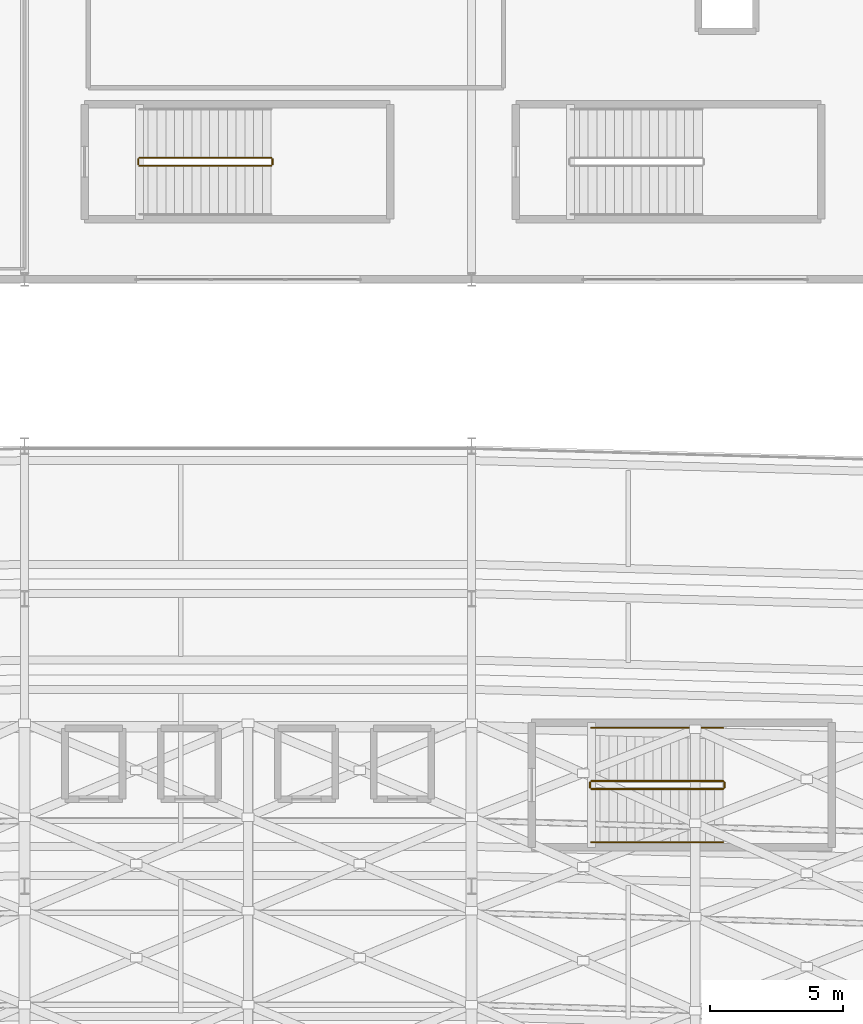
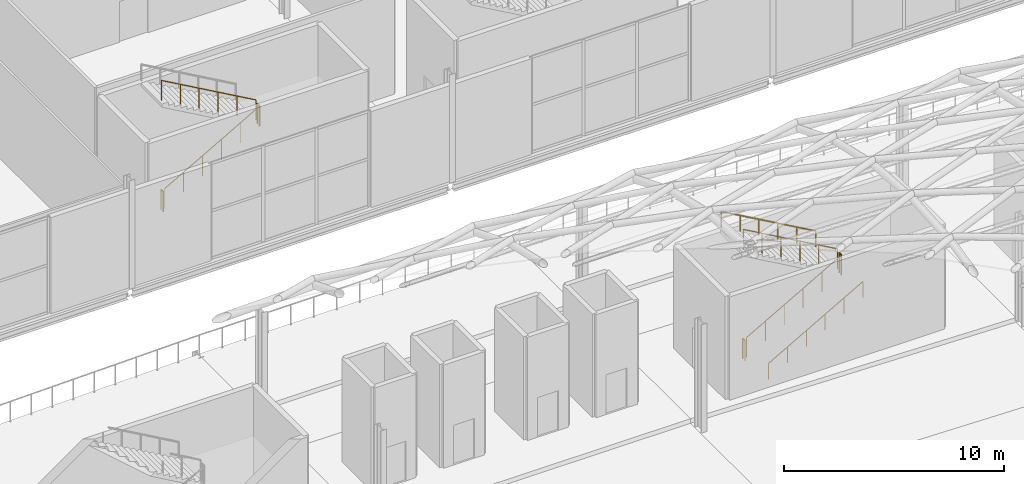
# One storey, part 96 of 100: 10 railings.
"""IFC4 building model written with IfcOpenShell, lengths in metres."""

from ifc_helpers import new_model, si_unit, direction, frame, origin, origin_2d, place, context, subcontext, project, spatial, circle, extrude, material, type_object, element, save


model = new_model("IFC4")

# Units and contexts
model_context = context("Model", 3, precision=1e-05, world=origin(), true_north=direction((0.0, 1.0)))
body_context = subcontext(model_context, "Body", "Model", "MODEL_VIEW")
ifc_project = project(units=[si_unit("LENGTHUNIT", "METRE"), si_unit("AREAUNIT", "SQUARE_METRE"), si_unit("VOLUMEUNIT", "CUBIC_METRE"), si_unit("PLANEANGLEUNIT", "RADIAN"), si_unit("MASSUNIT", "GRAM", prefix="KILO")], contexts=[model_context])

# Site, building, storey
site_placement = place(None, origin())
site = spatial("IfcSite", under=ifc_project, at=site_placement, CompositionType="ELEMENT")
building_placement = place(site_placement, origin())
building = spatial("IfcBuilding", under=site, at=building_placement, Name="Kimbaza Rail Terminus", CompositionType="ELEMENT")
storey_placement = place(building_placement, frame((0.0, 0.0, 10.800048828125)))
storey = spatial("IfcBuildingStorey", under=building, at=storey_placement, Name="L02", CompositionType="ELEMENT", Elevation=10.800048828125)

# Railings
ifc_material_1 = material(Name="Brushed stainless steel handrail", Category="steel")
railing_type_1 = type_object("IfcRailingType", Name="ARC-RL-HND92", PredefinedType="HANDRAIL", material=ifc_material_1)
railing_1_placement = place(storey_placement, frame((126.89990234375, 81.85009765625, 0.1875)))
element("IfcRailing", 1, at=railing_1_placement, inside=storey, type_object=railing_type_1, Name="L02 ST-C4 stair handrail 1", PredefinedType="HANDRAIL", context=body_context, shape_type="SweptSolid", body=[
    extrude(circle(Radius=0.02392578125, at=origin_2d()), frame((0.0, 0.0, 0.8759765625), z_axis=(0.869464929287, 0.0, 0.493994672785), x_axis=(0.0, 1.0, 0.0)), (0.0, 0.0, 1.0), 5.693359375),
    extrude(circle(Radius=0.02099609375, at=origin_2d()), origin(), (0.0, 0.0, 1.0), 0.851806640625),
    extrude(circle(Radius=0.02099609375, at=origin_2d()), frame((0.989990234375, 0.0, 0.5625)), (0.0, 0.0, 1.0), 0.851806640625),
    extrude(circle(Radius=0.02099609375, at=origin_2d()), frame((1.97998046875, 0.0, 1.125)), (0.0, 0.0, 1.0), 0.851806640625),
    extrude(circle(Radius=0.02099609375, at=origin_2d()), frame((2.97021484375, 0.0, 1.6875)), (0.0, 0.0, 1.0), 0.851806640625),
    extrude(circle(Radius=0.02099609375, at=origin_2d()), frame((3.960205078125, 0.0, 2.25)), (0.0, 0.0, 1.0), 0.851806640625),
    extrude(circle(Radius=0.02099609375, at=origin_2d()), frame((4.9501953125, 0.0, 2.8125)), (0.0, 0.0, 1.0), 0.851806640625),
])
railing_2_placement = place(storey_placement, frame((131.85009765625, 86.14990234375, 3.1875)))
element("IfcRailing", 2, at=railing_2_placement, inside=storey, type_object=railing_type_1, Name="L02 ST-C4 stair handrail 2", PredefinedType="HANDRAIL", context=body_context, shape_type="SweptSolid", body=[
    extrude(circle(Radius=0.02392578125, at=origin_2d()), frame((0.0, 0.0, 0.8759765625), z_axis=(-0.869464929287, 0.0, 0.493994672785), x_axis=(0.0, -1.0, 0.0)), (0.0, 0.0, 1.0), 5.693359375),
    extrude(circle(Radius=0.02099609375, at=origin_2d()), origin(), (0.0, 0.0, 1.0), 0.851806640625),
    extrude(circle(Radius=0.02099609375, at=origin_2d()), frame((-0.989990234375, 0.0, 0.5625)), (0.0, 0.0, 1.0), 0.851806640625),
    extrude(circle(Radius=0.02099609375, at=origin_2d()), frame((-1.97998046875, 0.0, 1.125)), (0.0, 0.0, 1.0), 0.851806640625),
    extrude(circle(Radius=0.02099609375, at=origin_2d()), frame((-2.97021484375, 0.0, 1.6875)), (0.0, 0.0, 1.0), 0.851806640625),
    extrude(circle(Radius=0.02099609375, at=origin_2d()), frame((-3.960205078125, 0.0, 2.25)), (0.0, 0.0, 1.0), 0.851806640625),
    extrude(circle(Radius=0.02099609375, at=origin_2d()), frame((-4.9501953125, 0.0, 2.8125)), (0.0, 0.0, 1.0), 0.851806640625),
])
ifc_material_2 = material(Name="Painted tubular steel stair well guard", Category="steel")
railing_type_2 = type_object("IfcRailingType", Name="ARC-RL-STGRD", PredefinedType="GUARDRAIL", material=ifc_material_2)
railing_3_placement = place(storey_placement, frame((109.919921875, 107.27001953125, 0.1875)))
element("IfcRailing", 3, at=railing_3_placement, inside=storey, type_object=railing_type_2, Name="L02 ST-M1 stair guard 1", PredefinedType="GUARDRAIL", context=body_context, shape_type="SweptSolid", body=[
    extrude(circle(Radius=0.02392578125, at=origin_2d()), frame((0.0, 0.0, 1.09619140625), z_axis=(0.869464929287, 0.0, 0.493994672785), x_axis=(0.0, 1.0, 0.0)), (0.0, 0.0, 1.0), 5.693359375),
    extrude(circle(Radius=0.02099609375, at=origin_2d()), origin(), (0.0, 0.0, 1.0), 1.072021484375),
    extrude(circle(Radius=0.02099609375, at=origin_2d()), frame((0.989990234375, 0.0, 0.5625)), (0.0, 0.0, 1.0), 1.072021484375),
    extrude(circle(Radius=0.02099609375, at=origin_2d()), frame((1.97998046875, 0.0, 1.125)), (0.0, 0.0, 1.0), 1.072021484375),
    extrude(circle(Radius=0.02099609375, at=origin_2d()), frame((2.97021484375, 0.0, 1.6875)), (0.0, 0.0, 1.0), 1.072021484375),
    extrude(circle(Radius=0.02099609375, at=origin_2d()), frame((3.960205078125, 0.0, 2.25)), (0.0, 0.0, 1.0), 1.072021484375),
    extrude(circle(Radius=0.02099609375, at=origin_2d()), frame((4.9501953125, 0.0, 2.8125)), (0.0, 0.0, 1.0), 1.072021484375),
])
railing_4_placement = place(storey_placement, frame((114.919921875, 107.320068359375, 3.0)))
element("IfcRailing", 4, at=railing_4_placement, inside=storey, type_object=railing_type_2, Name="L02 ST-M1 stair guard 2", PredefinedType="GUARDRAIL", context=body_context, shape_type="SweptSolid", body=[
    extrude(circle(Radius=0.02392578125, at=origin_2d()), frame((0.0, 0.0, 1.09619140625), z_axis=(0.0, 1.0, 0.0), x_axis=(-1.0, 0.0, 0.0)), (0.0, 0.0, 1.0), 0.199951171875),
    extrude(circle(Radius=0.02099609375, at=origin_2d()), origin(), (0.0, 0.0, 1.0), 1.072021484375),
    extrude(circle(Radius=0.02099609375, at=origin_2d()), frame((0.0, 0.199951171875, 0.0)), (0.0, 0.0, 1.0), 1.072021484375),
])
railing_5_placement = place(storey_placement, frame((114.8701171875, 107.570068359375, 3.1875)))
element("IfcRailing", 5, at=railing_5_placement, inside=storey, type_object=railing_type_2, Name="L02 ST-M1 stair guard 3", PredefinedType="GUARDRAIL", context=body_context, shape_type="SweptSolid", body=[
    extrude(circle(Radius=0.02392578125, at=origin_2d()), frame((0.0, 0.0, 1.09619140625), z_axis=(-0.869464929287, 0.0, 0.493994672785), x_axis=(0.0, -1.0, 0.0)), (0.0, 0.0, 1.0), 5.693359375),
    extrude(circle(Radius=0.02099609375, at=origin_2d()), origin(), (0.0, 0.0, 1.0), 1.072021484375),
    extrude(circle(Radius=0.02099609375, at=origin_2d()), frame((-0.989990234375, 0.0, 0.5625)), (0.0, 0.0, 1.0), 1.072021484375),
    extrude(circle(Radius=0.02099609375, at=origin_2d()), frame((-1.97998046875, 0.0, 1.125)), (0.0, 0.0, 1.0), 1.072021484375),
    extrude(circle(Radius=0.02099609375, at=origin_2d()), frame((-2.97021484375, 0.0, 1.6875)), (0.0, 0.0, 1.0), 1.072021484375),
    extrude(circle(Radius=0.02099609375, at=origin_2d()), frame((-3.960205078125, 0.0, 2.25)), (0.0, 0.0, 1.0), 1.072021484375),
    extrude(circle(Radius=0.02099609375, at=origin_2d()), frame((-4.9501953125, 0.0, 2.8125)), (0.0, 0.0, 1.0), 1.072021484375),
])
railing_6_placement = place(storey_placement, frame((109.8701171875, 107.320068359375, 0.0)))
element("IfcRailing", 6, at=railing_6_placement, inside=storey, type_object=railing_type_2, Name="L02 ST-M1 stair guard 4", PredefinedType="GUARDRAIL", context=body_context, shape_type="SweptSolid", body=[
    extrude(circle(Radius=0.02392578125, at=origin_2d()), frame((0.0, 0.0, 1.09619140625), z_axis=(0.0, 1.0, 0.0), x_axis=(-1.0, 0.0, 0.0)), (0.0, 0.0, 1.0), 0.199951171875),
    extrude(circle(Radius=0.02099609375, at=origin_2d()), origin(), (0.0, 0.0, 1.0), 1.072021484375),
    extrude(circle(Radius=0.02099609375, at=origin_2d()), frame((0.0, 0.199951171875, 0.0)), (0.0, 0.0, 1.0), 1.072021484375),
])
railing_7_placement = place(storey_placement, frame((126.89990234375, 83.85009765625, 0.1875)))
element("IfcRailing", 7, at=railing_7_placement, inside=storey, type_object=railing_type_2, Name="L02 ST-C4 stair guard 1", PredefinedType="GUARDRAIL", context=body_context, shape_type="SweptSolid", body=[
    extrude(circle(Radius=0.02392578125, at=origin_2d()), frame((0.0, 0.0, 1.09619140625), z_axis=(0.869464929287, 0.0, 0.493994672785), x_axis=(0.0, 1.0, 0.0)), (0.0, 0.0, 1.0), 5.693359375),
    extrude(circle(Radius=0.02099609375, at=origin_2d()), origin(), (0.0, 0.0, 1.0), 1.072021484375),
    extrude(circle(Radius=0.02099609375, at=origin_2d()), frame((0.989990234375, 0.0, 0.5625)), (0.0, 0.0, 1.0), 1.072021484375),
    extrude(circle(Radius=0.02099609375, at=origin_2d()), frame((1.97998046875, 0.0, 1.125)), (0.0, 0.0, 1.0), 1.072021484375),
    extrude(circle(Radius=0.02099609375, at=origin_2d()), frame((2.97021484375, 0.0, 1.6875)), (0.0, 0.0, 1.0), 1.072021484375),
    extrude(circle(Radius=0.02099609375, at=origin_2d()), frame((3.960205078125, 0.0, 2.25)), (0.0, 0.0, 1.0), 1.072021484375),
    extrude(circle(Radius=0.02099609375, at=origin_2d()), frame((4.9501953125, 0.0, 2.8125)), (0.0, 0.0, 1.0), 1.072021484375),
])
railing_8_placement = place(storey_placement, frame((131.89990234375, 83.89990234375, 3.0)))
element("IfcRailing", 8, at=railing_8_placement, inside=storey, type_object=railing_type_2, Name="L02 ST-C4 stair guard 2", PredefinedType="GUARDRAIL", context=body_context, shape_type="SweptSolid", body=[
    extrude(circle(Radius=0.02392578125, at=origin_2d()), frame((0.0, 0.0, 1.09619140625), z_axis=(0.0, 1.0, 0.0), x_axis=(-1.0, 0.0, 0.0)), (0.0, 0.0, 1.0), 0.2001953125),
    extrude(circle(Radius=0.02099609375, at=origin_2d()), origin(), (0.0, 0.0, 1.0), 1.072021484375),
    extrude(circle(Radius=0.02099609375, at=origin_2d()), frame((0.0, 0.2001953125, 0.0)), (0.0, 0.0, 1.0), 1.072021484375),
])
railing_9_placement = place(storey_placement, frame((131.85009765625, 84.14990234375, 3.1875)))
element("IfcRailing", 9, at=railing_9_placement, inside=storey, type_object=railing_type_2, Name="L02 ST-C4 stair guard 3", PredefinedType="GUARDRAIL", context=body_context, shape_type="SweptSolid", body=[
    extrude(circle(Radius=0.02392578125, at=origin_2d()), frame((0.0, 0.0, 1.09619140625), z_axis=(-0.869464929287, 0.0, 0.493994672785), x_axis=(0.0, -1.0, 0.0)), (0.0, 0.0, 1.0), 5.693359375),
    extrude(circle(Radius=0.02099609375, at=origin_2d()), origin(), (0.0, 0.0, 1.0), 1.072021484375),
    extrude(circle(Radius=0.02099609375, at=origin_2d()), frame((-0.989990234375, 0.0, 0.5625)), (0.0, 0.0, 1.0), 1.072021484375),
    extrude(circle(Radius=0.02099609375, at=origin_2d()), frame((-1.97998046875, 0.0, 1.125)), (0.0, 0.0, 1.0), 1.072021484375),
    extrude(circle(Radius=0.02099609375, at=origin_2d()), frame((-2.97021484375, 0.0, 1.6875)), (0.0, 0.0, 1.0), 1.072021484375),
    extrude(circle(Radius=0.02099609375, at=origin_2d()), frame((-3.960205078125, 0.0, 2.25)), (0.0, 0.0, 1.0), 1.072021484375),
    extrude(circle(Radius=0.02099609375, at=origin_2d()), frame((-4.9501953125, 0.0, 2.8125)), (0.0, 0.0, 1.0), 1.072021484375),
])
railing_10_placement = place(storey_placement, frame((126.85009765625, 83.89990234375, 0.0)))
element("IfcRailing", 10, at=railing_10_placement, inside=storey, type_object=railing_type_2, Name="L02 ST-C4 stair guard 4", PredefinedType="GUARDRAIL", context=body_context, shape_type="SweptSolid", body=[
    extrude(circle(Radius=0.02392578125, at=origin_2d()), frame((0.0, 0.0, 1.09619140625), z_axis=(0.0, 1.0, 0.0), x_axis=(-1.0, 0.0, 0.0)), (0.0, 0.0, 1.0), 0.2001953125),
    extrude(circle(Radius=0.02099609375, at=origin_2d()), origin(), (0.0, 0.0, 1.0), 1.072021484375),
    extrude(circle(Radius=0.02099609375, at=origin_2d()), frame((0.0, 0.2001953125, 0.0)), (0.0, 0.0, 1.0), 1.072021484375),
])

save(model, "model.ifc")
